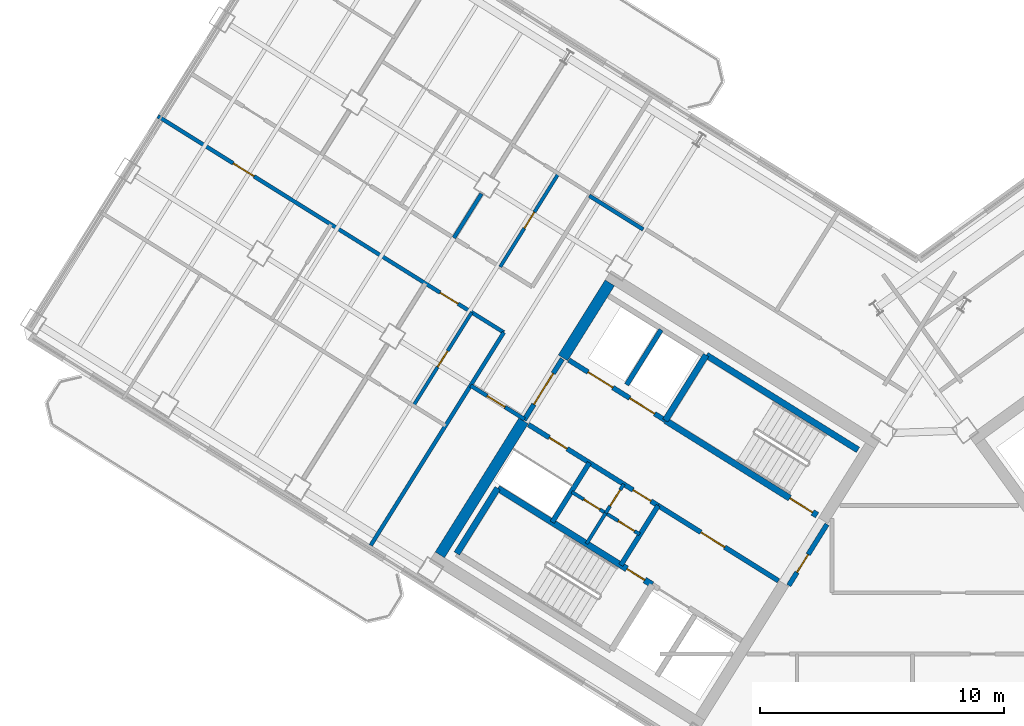
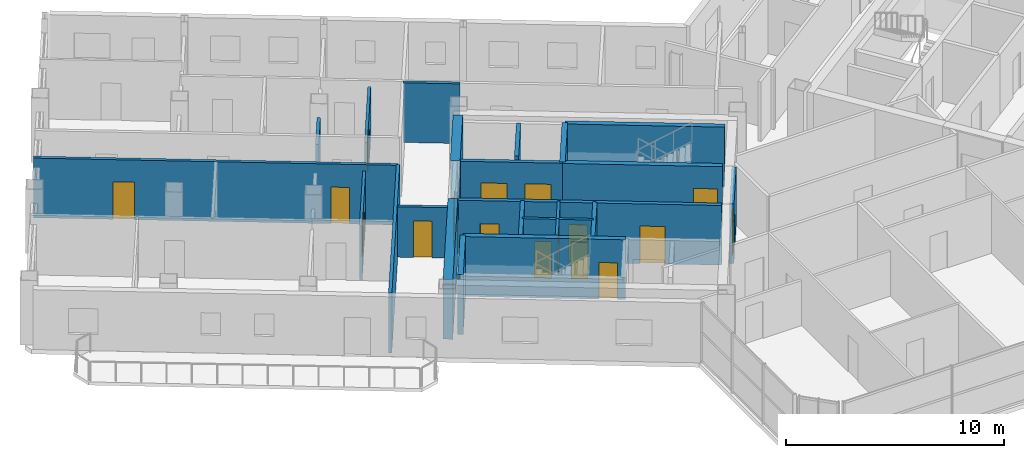
# One storey, part 12 of 21: 25 walls, 17 doors, 17 openings.
"""IFC4 building model written with IfcOpenShell, lengths in metres."""

from ifc_helpers import new_model, si_unit, direction, frame, frame_2d, origin, place, context, subcontext, project, spatial, rectangle, extrude, source, transform, mapped, material, layer, layer_set, type_object, element, fill, save


model = new_model("IFC4")

# Units and contexts
model_context = context("Model", 3, precision=1e-05, world=origin(), true_north=direction((0.0, 1.0)))
body_context = subcontext(model_context, "Body", "Model", "MODEL_VIEW")
ifc_project = project(units=[si_unit("LENGTHUNIT", "METRE"), si_unit("AREAUNIT", "SQUARE_METRE"), si_unit("VOLUMEUNIT", "CUBIC_METRE"), si_unit("PLANEANGLEUNIT", "RADIAN"), si_unit("MASSUNIT", "GRAM", prefix="KILO")], contexts=[model_context])

# Site, building, storey
site_placement = place(None, origin())
site = spatial("IfcSite", under=ifc_project, at=site_placement, CompositionType="ELEMENT")
building_placement = place(site_placement, origin())
building = spatial("IfcBuilding", under=site, at=building_placement, Name="Tlacorven Tower", CompositionType="ELEMENT")
storey_placement = place(building_placement, frame((0.0, 0.0, 222.0)))
storey = spatial("IfcBuildingStorey", under=building, at=storey_placement, Name="L56", CompositionType="ELEMENT", Elevation=222.0)

# Walls
ifc_material_1 = material(Name="Concrete C50/60", Category="concrete")
ifc_layer_1 = layer(ifc_material_1, 0.449951171875)
ifc_layer_set_1 = layer_set([ifc_layer_1], Name="Concrete C50/60")
wall_type_1 = type_object("IfcWallType", Name="WL-COR-450", PredefinedType="SHEAR", material=ifc_layer_set_1)
wall_1_placement = place(storey_placement, frame((29.543701171875, 30.636474609375, 0.0), z_axis=(0.0, 0.0, 1.0), x_axis=(-0.529902075036, -0.848058836916, 0.0)))
element("IfcWall", 1, at=wall_1_placement, inside=storey, type_object=wall_type_1, Name="L56 W core end wall E2.1", PredefinedType="SHEAR", context=body_context, shape_type="SweptSolid", body=[
    extrude(rectangle(XDim=3.625, YDim=0.449951171875, at=frame_2d((1.8125, 0.0))), origin(), (0.0, 0.0, 1.0), 3.35009765625),
])
wall_2_placement = place(storey_placement, frame((26.006591796875, 24.975830078125, 0.0), z_axis=(0.0, 0.0, 1.0), x_axis=(-0.529931155655, -0.848040665456, 0.0)))
element("IfcWall", 2, at=wall_2_placement, inside=storey, type_object=wall_type_1, Name="L56 W core end wall E2.2", PredefinedType="SHEAR", context=body_context, shape_type="SweptSolid", body=[
    extrude(rectangle(XDim=6.47509765625, YDim=0.449951171875, at=frame_2d((3.237548828125, 0.0))), origin(), (0.0, 0.0, 1.0), 3.35009765625),
])
ifc_material_2 = material(Name="Gypsum plasterboard acoustic partition", Category="gypsum")
ifc_layer_2 = layer(ifc_material_2, 0.159912109375)
ifc_layer_set_2 = layer_set([ifc_layer_2], Name="Gypsum plasterboard acoustic partition")
wall_type_2 = type_object("IfcWallType", Name="WL-DEM-160", PredefinedType="PARTITIONING", material=ifc_layer_set_2)
wall_3_placement = place(storey_placement, frame((30.91357421875, 32.82861328125, 0.0), z_axis=(0.0, 0.0, 1.0), x_axis=(-0.848008813643, 0.529982124211, 0.0)))
element("IfcWall", 3, at=wall_3_placement, inside=storey, type_object=wall_type_2, Name="L56 partition 38", PredefinedType="PARTITIONING", context=body_context, shape_type="SweptSolid", body=[
    extrude(rectangle(XDim=2.610107421875, YDim=0.159912109375, at=frame_2d((1.30517578125, 0.0))), origin(), (0.0, 0.0, 1.0), 3.340087890625),
])

# Wall, opening, door
wall_4_placement = place(storey_placement, frame((26.048828125, 25.043701171875, 0.0), z_axis=(0.0, 0.0, 1.0), x_axis=(-0.848050851465, 0.529914854792, 0.0)))
wall_4 = element("IfcWall", 4, at=wall_4_placement, inside=storey, type_object=wall_type_2, Name="L56 partition 39", PredefinedType="PARTITIONING", context=body_context, shape_type="SweptSolid", body=[
    extrude(rectangle(XDim=2.60986328125, YDim=0.159912109375, at=frame_2d((1.304931640625, 0.0))), origin(), (0.0, 0.0, 1.0), 2.824951171875),
])
opening_1_placement = place(wall_4_placement, frame((0.949951171875, 0.0, 0.0)))
opening_1 = element("IfcOpeningElement", 5, at=opening_1_placement, cuts=wall_4, Name="Opening D19", PredefinedType="OPENING", context=body_context, shape_type="SweptSolid", body=[
    extrude(rectangle(XDim=0.860107421875, YDim=2.050048828125, at=frame_2d((0.43017578125, 1.02490234375))), frame((0.0, 0.08984375, 0.0), z_axis=(0.0, -1.0, 0.0), x_axis=(1.0, 0.0, 0.0)), (0.0, 0.0, 1.0), 0.179931640625),
])
ifc_material_3 = material(Name="Fire-rated steel door assembly", Category="steel")
door_type_1 = type_object("IfcDoorType", Name="DR-RSR-FD60-0860", OperationType="NOTDEFINED", PredefinedType="DOOR", material=ifc_material_3)
shared_shape_1 = source(origin(), body_context, "Body", "SweptSolid", [
    extrude(rectangle(XDim=0.860107421875, YDim=2.050048828125, at=frame_2d((0.43017578125, 1.02490234375))), frame((0.0, 0.02490234375, 0.0), z_axis=(0.0, -1.0, 0.0), x_axis=(1.0, 0.0, 0.0)), (0.0, 0.0, 1.0), 0.050048828125),
])
door_1_placement = place(opening_1_placement, origin())
door_1 = element("IfcDoor", 6, at=door_1_placement, inside=storey, type_object=door_type_1, Name="L56 door 021", OperationType="SINGLE_SWING_LEFT", OverallHeight=2.050048828125, OverallWidth=0.860107421875, PredefinedType="DOOR", context=body_context, shape_type="MappedRepresentation", body=[
    mapped(shared_shape_1, transform((0.0, 0.0, 0.0), scale=1.0)),
])
fill(opening_1, door_1)

# Wall
wall_5_placement = place(storey_placement, frame((25.197509765625, 28.606201171875, 0.0), z_axis=(0.0, 0.0, 1.0), x_axis=(-0.529926497642, -0.848043576178, 0.0)))
element("IfcWall", 7, at=wall_5_placement, inside=storey, type_object=wall_type_2, Name="L56 partition 41", PredefinedType="PARTITIONING", context=body_context, shape_type="SweptSolid", body=[
    extrude(rectangle(XDim=10.300048828125, YDim=0.159912109375, at=frame_2d((5.14990234375, 0.0))), origin(), (0.0, 0.0, 1.0), 3.340087890625),
])

# Wall, openings, doors
wall_6_placement = place(storey_placement, frame((25.197509765625, 28.606201171875, 0.0), z_axis=(0.0, 0.0, 1.0), x_axis=(-0.848052408131, 0.529912363569, 0.0)))
wall_6 = element("IfcWall", 8, at=wall_6_placement, inside=storey, type_object=wall_type_2, Name="L56 Wing W Corridor North Wall", PredefinedType="PARTITIONING", context=body_context, shape_type="SweptSolid", body=[
    extrude(rectangle(XDim=16.72998046875, YDim=0.159912109375, at=frame_2d((8.364990234375, 0.0))), origin(), (0.0, 0.0, 1.0), 3.340087890625),
])
opening_2_placement = place(wall_6_placement, frame((2.219970703125, 0.0, 0.0)))
opening_2 = element("IfcOpeningElement", 9, at=opening_2_placement, cuts=wall_6, Name="Opening D19", PredefinedType="OPENING", context=body_context, shape_type="SweptSolid", body=[
    extrude(rectangle(XDim=0.860107421875, YDim=2.050048828125, at=frame_2d((0.43017578125, 1.02490234375))), frame((0.0, 0.08984375, 0.0), z_axis=(0.0, -1.0, 0.0), x_axis=(1.0, 0.0, 0.0)), (0.0, 0.0, 1.0), 0.179931640625),
])
opening_3_placement = place(wall_6_placement, frame((12.083984375, 0.0, 0.0)))
opening_3 = element("IfcOpeningElement", 10, at=opening_3_placement, cuts=wall_6, Name="Opening D11", PredefinedType="OPENING", context=body_context, shape_type="SweptSolid", body=[
    extrude(rectangle(XDim=1.0, YDim=2.10009765625, at=frame_2d((0.5, 1.050048828125))), frame((0.0, 0.08984375, 0.0), z_axis=(0.0, -1.0, 0.0), x_axis=(1.0, 0.0, 0.0)), (0.0, 0.0, 1.0), 0.179931640625),
])
door_2_placement = place(opening_2_placement, origin())
door_2 = element("IfcDoor", 11, at=door_2_placement, inside=storey, type_object=door_type_1, Name="L56 door 023", OperationType="SINGLE_SWING_RIGHT", OverallHeight=2.050048828125, OverallWidth=0.860107421875, PredefinedType="DOOR", context=body_context, shape_type="MappedRepresentation", body=[
    mapped(shared_shape_1, transform((0.0, 0.0, 0.0), scale=1.0)),
])
fill(opening_2, door_2)
door_type_2 = type_object("IfcDoorType", Name="DR-FLT-FD60-1000", OperationType="NOTDEFINED", PredefinedType="DOOR", material=ifc_material_3)
shared_shape_2 = source(origin(), body_context, "Body", "SweptSolid", [
    extrude(rectangle(XDim=1.0, YDim=2.10009765625, at=frame_2d((0.5, 1.050048828125))), frame((0.0, 0.02490234375, 0.0), z_axis=(0.0, -1.0, 0.0), x_axis=(1.0, 0.0, 0.0)), (0.0, 0.0, 1.0), 0.050048828125),
])
door_3_placement = place(opening_3_placement, origin())
door_3 = element("IfcDoor", 12, at=door_3_placement, inside=storey, type_object=door_type_2, Name="L56 door 027", OperationType="SINGLE_SWING_RIGHT", OverallHeight=2.10009765625, OverallWidth=1.0, PredefinedType="DOOR", context=body_context, shape_type="MappedRepresentation", body=[
    mapped(shared_shape_2, transform((0.0, 0.0, 0.0), scale=1.0)),
])
fill(opening_3, door_3)

# Wall
wall_7_placement = place(storey_placement, frame((24.2822265625, 34.29345703125, 0.0), z_axis=(0.0, 0.0, 1.0), x_axis=(-0.529927092104, -0.84804320471, 0.0)))
element("IfcWall", 13, at=wall_7_placement, inside=storey, type_object=wall_type_2, Name="L56 WS Demising Wall 1", PredefinedType="PARTITIONING", context=body_context, shape_type="SweptSolid", body=[
    extrude(rectangle(XDim=2.13818359375, YDim=0.159912109375, at=frame_2d((1.069091796875, 0.0))), origin(), (0.0, 0.0, 1.0), 2.824951171875),
])

# Wall, opening, door
ifc_material_4 = material(Name="Moisture-resistant gypsum plumbing wall", Category="gypsum")
ifc_layer_3 = layer(ifc_material_4, 0.139892578125)
ifc_layer_set_3 = layer_set([ifc_layer_3], Name="Moisture-resistant gypsum plumbing wall")
wall_type_3 = type_object("IfcWallType", Name="WL-PLM-140", PredefinedType="PLUMBINGWALL", material=ifc_layer_set_3)
wall_8_placement = place(storey_placement, frame((30.117431640625, 22.383544921875, 0.0), z_axis=(0.0, 0.0, 1.0), x_axis=(-0.529951914384, -0.848027693204, 0.0)))
wall_8 = element("IfcWall", 14, at=wall_8_placement, inside=storey, type_object=wall_type_3, Name="L56 partition 18", PredefinedType="PLUMBINGWALL", context=body_context, shape_type="SweptSolid", body=[
    extrude(rectangle(XDim=1.39990234375, YDim=0.139892578125, at=frame_2d((0.699951171875, 0.0))), origin(), (0.0, 0.0, 1.0), 3.340087890625),
])
opening_4_placement = place(wall_8_placement, frame((0.280029296875, 0.0, 0.0)))
opening_4 = element("IfcOpeningElement", 15, at=opening_4_placement, cuts=wall_8, Name="Opening D22", PredefinedType="OPENING", context=body_context, shape_type="SweptSolid", body=[
    extrude(rectangle(XDim=0.780029296875, YDim=2.050048828125, at=frame_2d((0.39013671875, 1.02490234375))), frame((0.0, 0.080078125, 0.0), z_axis=(0.0, -1.0, 0.0), x_axis=(1.0, 0.0, 0.0)), (0.0, 0.0, 1.0), 0.159912109375),
])
ifc_material_5 = material(Name="Powder-coated aluminium and timber door", Category="wood")
door_type_3 = type_object("IfcDoorType", Name="DR-INT-WET-0780", OperationType="NOTDEFINED", PredefinedType="DOOR", material=ifc_material_5)
shared_shape_3 = source(origin(), body_context, "Body", "SweptSolid", [
    extrude(rectangle(XDim=0.780029296875, YDim=2.050048828125, at=frame_2d((0.39013671875, 1.02490234375))), frame((0.0, 0.02490234375, 0.0), z_axis=(0.0, -1.0, 0.0), x_axis=(1.0, 0.0, 0.0)), (0.0, 0.0, 1.0), 0.050048828125),
])
door_4_placement = place(opening_4_placement, origin())
door_4 = element("IfcDoor", 16, at=door_4_placement, inside=storey, type_object=door_type_3, Name="L56 door 010", OperationType="SINGLE_SWING_LEFT", OverallHeight=2.050048828125, OverallWidth=0.780029296875, PredefinedType="DOOR", context=body_context, shape_type="MappedRepresentation", body=[
    mapped(shared_shape_3, transform((0.0, 0.0, 0.0), scale=1.0)),
])
fill(opening_4, door_4)

# Wall
wall_9_placement = place(storey_placement, frame((29.37548828125, 21.1962890625, 0.0), z_axis=(0.0, 0.0, 1.0), x_axis=(-0.529865479138, -0.848081702443, 0.0)))
element("IfcWall", 17, at=wall_9_placement, inside=storey, type_object=wall_type_3, Name="L56 partition 19", PredefinedType="PLUMBINGWALL", context=body_context, shape_type="SweptSolid", body=[
    extrude(rectangle(XDim=1.47998046875, YDim=0.139892578125, at=frame_2d((0.739990234375, 0.0))), origin(), (0.0, 0.0, 1.0), 3.340087890625),
])

# Wall, openings, doors
wall_10_placement = place(storey_placement, frame((30.766357421875, 20.3271484375, 0.0), z_axis=(0.0, 0.0, 1.0), x_axis=(-0.848052663127, 0.529911955482, 0.0)))
wall_10 = element("IfcWall", 18, at=wall_10_placement, inside=storey, type_object=wall_type_3, Name="L56 partition 20", PredefinedType="PLUMBINGWALL", context=body_context, shape_type="SweptSolid", body=[
    extrude(rectangle(XDim=3.27978515625, YDim=0.139892578125, at=frame_2d((1.639892578125, 0.0))), origin(), (0.0, 0.0, 1.0), 3.340087890625),
])
opening_5_placement = place(wall_10_placement, frame((0.25, 0.0, 0.0)))
opening_5 = element("IfcOpeningElement", 19, at=opening_5_placement, cuts=wall_10, Name="Opening D22", PredefinedType="OPENING", context=body_context, shape_type="SweptSolid", body=[
    extrude(rectangle(XDim=0.780029296875, YDim=2.050048828125, at=frame_2d((0.39013671875, 1.02490234375))), frame((0.0, 0.080078125, 0.0), z_axis=(0.0, -1.0, 0.0), x_axis=(1.0, 0.0, 0.0)), (0.0, 0.0, 1.0), 0.159912109375),
])
opening_6_placement = place(wall_10_placement, frame((1.919921875, 0.0, 0.0)))
opening_6 = element("IfcOpeningElement", 20, at=opening_6_placement, cuts=wall_10, Name="Opening D22", PredefinedType="OPENING", context=body_context, shape_type="SweptSolid", body=[
    extrude(rectangle(XDim=0.780029296875, YDim=2.050048828125, at=frame_2d((0.39013671875, 1.02490234375))), frame((0.0, 0.080078125, 0.0), z_axis=(0.0, -1.0, 0.0), x_axis=(1.0, 0.0, 0.0)), (0.0, 0.0, 1.0), 0.159912109375),
])
door_5_placement = place(opening_5_placement, origin())
door_5 = element("IfcDoor", 21, at=door_5_placement, inside=storey, type_object=door_type_3, Name="L56 door 011", OperationType="SINGLE_SWING_RIGHT", OverallHeight=2.050048828125, OverallWidth=0.780029296875, PredefinedType="DOOR", context=body_context, shape_type="MappedRepresentation", body=[
    mapped(shared_shape_3, transform((0.0, 0.0, 0.0), scale=1.0)),
])
fill(opening_5, door_5)
door_6_placement = place(opening_6_placement, origin())
door_6 = element("IfcDoor", 22, at=door_6_placement, inside=storey, type_object=door_type_3, Name="L56 door 012", OperationType="SINGLE_SWING_LEFT", OverallHeight=2.050048828125, OverallWidth=0.780029296875, PredefinedType="DOOR", context=body_context, shape_type="MappedRepresentation", body=[
    mapped(shared_shape_3, transform((0.0, 0.0, 0.0), scale=1.0)),
])
fill(opening_6, door_6)

# Wall, opening, door
wall_11_placement = place(storey_placement, frame((23.883056640625, 29.427490234375, 0.0), z_axis=(0.0, 0.0, 1.0), x_axis=(-0.529950281337, -0.84802871373, 0.0)))
wall_11 = element("IfcWall", 23, at=wall_11_placement, inside=storey, type_object=wall_type_3, Name="L56 partition 47", PredefinedType="PLUMBINGWALL", context=body_context, shape_type="SweptSolid", body=[
    extrude(rectangle(XDim=4.510009765625, YDim=0.139892578125, at=frame_2d((2.2548828125, 0.0))), origin(), (0.0, 0.0, 1.0), 2.9951171875),
])
opening_7_placement = place(wall_11_placement, frame((1.864990234375, 0.0, 0.0)))
opening_7 = element("IfcOpeningElement", 24, at=opening_7_placement, cuts=wall_11, Name="Opening D22", PredefinedType="OPENING", context=body_context, shape_type="SweptSolid", body=[
    extrude(rectangle(XDim=0.780029296875, YDim=2.050048828125, at=frame_2d((0.39013671875, 1.02490234375))), frame((0.0, 0.080078125, 0.0), z_axis=(0.0, -1.0, 0.0), x_axis=(1.0, 0.0, 0.0)), (0.0, 0.0, 1.0), 0.159912109375),
])
door_7_placement = place(opening_7_placement, origin())
door_7 = element("IfcDoor", 25, at=door_7_placement, inside=storey, type_object=door_type_3, Name="L56 door 025", OperationType="SINGLE_SWING_RIGHT", OverallHeight=2.050048828125, OverallWidth=0.780029296875, PredefinedType="DOOR", context=body_context, shape_type="MappedRepresentation", body=[
    mapped(shared_shape_3, transform((0.0, 0.0, 0.0), scale=1.0)),
])
fill(opening_7, door_7)

wall_12_placement = place(storey_placement, frame((27.438720703125, 35.117919921875, 0.0), z_axis=(0.0, 0.0, 1.0), x_axis=(-0.529911350634, -0.84805304107, 0.0)))
wall_12 = element("IfcWall", 26, at=wall_12_placement, inside=storey, type_object=wall_type_3, Name="L56 partition 53", PredefinedType="PLUMBINGWALL", context=body_context, shape_type="SweptSolid", body=[
    extrude(rectangle(XDim=4.510009765625, YDim=0.139892578125, at=frame_2d((2.2548828125, 0.0))), origin(), (0.0, 0.0, 1.0), 2.9951171875),
])
opening_8_placement = place(wall_12_placement, frame((1.864990234375, 0.0, 0.0)))
opening_8 = element("IfcOpeningElement", 27, at=opening_8_placement, cuts=wall_12, Name="Opening D22", PredefinedType="OPENING", context=body_context, shape_type="SweptSolid", body=[
    extrude(rectangle(XDim=0.780029296875, YDim=2.050048828125, at=frame_2d((0.39013671875, 1.02490234375))), frame((0.0, 0.080078125, 0.0), z_axis=(0.0, -1.0, 0.0), x_axis=(1.0, 0.0, 0.0)), (0.0, 0.0, 1.0), 0.159912109375),
])
door_8_placement = place(opening_8_placement, origin())
door_8 = element("IfcDoor", 28, at=door_8_placement, inside=storey, type_object=door_type_3, Name="L56 door 032", OperationType="SINGLE_SWING_LEFT", OverallHeight=2.050048828125, OverallWidth=0.780029296875, PredefinedType="DOOR", context=body_context, shape_type="MappedRepresentation", body=[
    mapped(shared_shape_3, transform((0.0, 0.0, 0.0), scale=1.0)),
])
fill(opening_8, door_8)

ifc_material_6 = material(Name="Concrete C40/50", Category="concrete")
ifc_layer_4 = layer(ifc_material_6, 0.199951171875)
ifc_layer_set_4 = layer_set([ifc_layer_4], Name="Concrete C40/50")
wall_type_4 = type_object("IfcWallType", Name="WL-SHF-200", PredefinedType="STANDARD", material=ifc_layer_set_4)
wall_13_placement = place(storey_placement, frame((36.459228515625, 18.420654296875, 0.0), z_axis=(0.0, 0.0, 1.0), x_axis=(-0.848059591691, 0.529900867089, 0.0)))
wall_13 = element("IfcWall", 29, at=wall_13_placement, inside=storey, type_object=wall_type_4, Name="L56 Core W Smoke Lobby Wall", PredefinedType="STANDARD", context=body_context, shape_type="SweptSolid", body=[
    extrude(rectangle(XDim=5.818115234375, YDim=0.199951171875, at=frame_2d((2.9091796875, 0.0))), origin(), (0.0, 0.0, 1.0), 3.340087890625),
])
opening_9_placement = place(wall_13_placement, frame((2.597900390625, 0.0, 0.0)))
opening_9 = element("IfcOpeningElement", 30, at=opening_9_placement, cuts=wall_13, Name="Opening D09", PredefinedType="OPENING", context=body_context, shape_type="SweptSolid", body=[
    extrude(rectangle(XDim=1.14990234375, YDim=2.10009765625, at=frame_2d((0.574951171875, 1.050048828125))), frame((0.0, 0.10986328125, 0.0), z_axis=(0.0, -1.0, 0.0), x_axis=(1.0, 0.0, 0.0)), (0.0, 0.0, 1.0), 0.219970703125),
])
door_type_4 = type_object("IfcDoorType", Name="DR-FFL-FD60-1150", OperationType="NOTDEFINED", PredefinedType="DOOR", material=ifc_material_3)
shared_shape_4 = source(origin(), body_context, "Body", "SweptSolid", [
    extrude(rectangle(XDim=1.14990234375, YDim=2.10009765625, at=frame_2d((0.574951171875, 1.050048828125))), frame((0.0, 0.02490234375, 0.0), z_axis=(0.0, -1.0, 0.0), x_axis=(1.0, 0.0, 0.0)), (0.0, 0.0, 1.0), 0.050048828125),
])
door_9_placement = place(opening_9_placement, origin())
door_9 = element("IfcDoor", 31, at=door_9_placement, inside=storey, type_object=door_type_4, Name="L56 Firefighting Lobby W Fire Door", OperationType="SINGLE_SWING_RIGHT", OverallHeight=2.10009765625, OverallWidth=1.14990234375, PredefinedType="DOOR", context=body_context, shape_type="MappedRepresentation", body=[
    mapped(shared_shape_4, transform((0.0, 0.0, 0.0), scale=1.0)),
])
fill(opening_9, door_9)

# Wall, openings, doors
wall_14_placement = place(storey_placement, frame((31.82177734375, 24.99755859375, 0.0), z_axis=(0.0, 0.0, 1.0), x_axis=(-0.848054125777, 0.529909614701, 0.0)))
wall_14 = element("IfcWall", 32, at=wall_14_placement, inside=storey, type_object=wall_type_4, Name="L56 Core W South Lift Shaft Wall", PredefinedType="STANDARD", context=body_context, shape_type="SweptSolid", body=[
    extrude(rectangle(XDim=4.66796875, YDim=0.199951171875, at=frame_2d((2.333984375, 0.0))), origin(), (0.0, 0.0, 1.0), 3.340087890625),
])
opening_10_placement = place(wall_14_placement, frame((0.52001953125, 0.0, 0.0)))
opening_10 = element("IfcOpeningElement", 33, at=opening_10_placement, cuts=wall_14, Name="Opening LD02", PredefinedType="OPENING", context=body_context, shape_type="SweptSolid", body=[
    extrude(rectangle(XDim=1.199951171875, YDim=2.14990234375, at=frame_2d((0.60009765625, 1.074951171875))), frame((0.0, 0.10986328125, 0.0), z_axis=(0.0, -1.0, 0.0), x_axis=(1.0, 0.0, 0.0)), (0.0, 0.0, 1.0), 0.219970703125),
])
opening_11_placement = place(wall_14_placement, frame((2.5400390625, 0.0, 0.0)))
opening_11 = element("IfcOpeningElement", 34, at=opening_11_placement, cuts=wall_14, Name="Opening LD02", PredefinedType="OPENING", context=body_context, shape_type="SweptSolid", body=[
    extrude(rectangle(XDim=1.199951171875, YDim=2.14990234375, at=frame_2d((0.60009765625, 1.074951171875))), frame((0.0, 0.10986328125, 0.0), z_axis=(0.0, -1.0, 0.0), x_axis=(1.0, 0.0, 0.0)), (0.0, 0.0, 1.0), 0.219970703125),
])
door_type_5 = type_object("IfcDoorType", Name="DR-LFT-SLID-1200", OperationType="DOUBLE_DOOR_SLIDING", PredefinedType="DOOR", material=ifc_material_3)
shared_shape_5 = source(origin(), body_context, "Body", "SweptSolid", [
    extrude(rectangle(XDim=1.199951171875, YDim=2.14990234375, at=frame_2d((0.60009765625, 1.074951171875))), frame((0.0, 0.02490234375, 0.0), z_axis=(0.0, -1.0, 0.0), x_axis=(1.0, 0.0, 0.0)), (0.0, 0.0, 1.0), 0.050048828125),
])
door_10_placement = place(opening_10_placement, origin())
door_10 = element("IfcDoor", 35, at=door_10_placement, inside=storey, type_object=door_type_5, Name="L56 Lift PL-H1 Sliding Landing Door", OperationType="DOUBLE_DOOR_SLIDING", OverallHeight=2.14990234375, OverallWidth=1.199951171875, PredefinedType="DOOR", context=body_context, shape_type="MappedRepresentation", body=[
    mapped(shared_shape_5, transform((0.0, 0.0, 0.0), scale=1.0)),
])
fill(opening_10, door_10)
door_11_placement = place(opening_11_placement, origin())
door_11 = element("IfcDoor", 36, at=door_11_placement, inside=storey, type_object=door_type_5, Name="L56 Lift PL-H2 Sliding Landing Door", OperationType="DOUBLE_DOOR_SLIDING", OverallHeight=2.14990234375, OverallWidth=1.199951171875, PredefinedType="DOOR", context=body_context, shape_type="MappedRepresentation", body=[
    mapped(shared_shape_5, transform((0.0, 0.0, 0.0), scale=1.0)),
])
fill(opening_11, door_11)

# Walls
wall_15_placement = place(storey_placement, frame((31.645263671875, 28.716064453125, 0.0), z_axis=(0.0, 0.0, 1.0), x_axis=(-0.52986693015, -0.848080795876, 0.0)))
element("IfcWall", 37, at=wall_15_placement, inside=storey, type_object=wall_type_4, Name="L56 partition 12", PredefinedType="STANDARD", context=body_context, shape_type="SweptSolid", body=[
    extrude(rectangle(XDim=2.659912109375, YDim=0.199951171875, at=frame_2d((1.330078125, 0.0))), origin(), (0.0, 0.0, 1.0), 3.340087890625),
])
for number, where, z_axis, x_axis, name in (
    (38, (31.525146484375, 21.503662109375, 0.0), (0.0, 0.0, 1.0), (-0.529907497854, -0.848055448493, 0.0), "L56 partition 15"),
    (39, (28.709716796875, 23.26318359375, 0.0), (0.0, 0.0, 1.0), (-0.529907497854, -0.848055448493, 0.0), "L56 partition 16"),
):
    element("IfcWall", number, at=place(storey_placement, frame(where, z_axis=z_axis, x_axis=x_axis)), inside=storey, type_object=wall_type_4, Name=name, PredefinedType="STANDARD", context=body_context, shape_type="SweptSolid", body=[
        extrude(rectangle(XDim=2.8798828125, YDim=0.199951171875, at=frame_2d((1.43994140625, 0.0))), origin(), (0.0, 0.0, 1.0), 3.340087890625),
    ])

# Wall, openings, doors
wall_16_placement = place(storey_placement, frame((31.525146484375, 21.503662109375, 0.0), z_axis=(0.0, 0.0, 1.0), x_axis=(-0.848042066329, 0.529928913853, 0.0)))
wall_16 = element("IfcWall", 40, at=wall_16_placement, inside=storey, type_object=wall_type_4, Name="L56 Core W North Service Wall", PredefinedType="STANDARD", context=body_context, shape_type="SweptSolid", body=[
    extrude(rectangle(XDim=6.267822265625, YDim=0.199951171875, at=frame_2d((3.1337890625, 0.0))), origin(), (0.0, 0.0, 1.0), 3.340087890625),
])
opening_12_placement = place(wall_16_placement, frame((4.39990234375, 0.0, 0.0)))
opening_12 = element("IfcOpeningElement", 41, at=opening_12_placement, cuts=wall_16, Name="Opening D19", PredefinedType="OPENING", context=body_context, shape_type="SweptSolid", body=[
    extrude(rectangle(XDim=0.860107421875, YDim=2.050048828125, at=frame_2d((0.43017578125, 1.02490234375))), frame((0.0, 0.10986328125, 0.0), z_axis=(0.0, -1.0, 0.0), x_axis=(1.0, 0.0, 0.0)), (0.0, 0.0, 1.0), 0.219970703125),
])
opening_13_placement = place(wall_16_placement, frame((0.35009765625, 0.0, 0.0)))
opening_13 = element("IfcOpeningElement", 42, at=opening_13_placement, cuts=wall_16, Name="Opening D19", PredefinedType="OPENING", context=body_context, shape_type="SweptSolid", body=[
    extrude(rectangle(XDim=0.860107421875, YDim=2.050048828125, at=frame_2d((0.43017578125, 1.02490234375))), frame((0.0, 0.10986328125, 0.0), z_axis=(0.0, -1.0, 0.0), x_axis=(1.0, 0.0, 0.0)), (0.0, 0.0, 1.0), 0.219970703125),
])
door_12_placement = place(opening_12_placement, frame((0.860107421875, 0.0, 0.0), z_axis=(0.0, 0.0, 1.0), x_axis=(-1.0, 0.0, 0.0)))
door_12 = element("IfcDoor", 43, at=door_12_placement, inside=storey, type_object=door_type_1, Name="L56 Electrical Riser Access Door W", OperationType="SINGLE_SWING_LEFT", OverallHeight=2.050048828125, OverallWidth=0.860107421875, PredefinedType="DOOR", context=body_context, shape_type="MappedRepresentation", body=[
    mapped(shared_shape_1, transform((0.0, 0.0, 0.0), scale=1.0)),
])
fill(opening_12, door_12)
door_13_placement = place(opening_13_placement, frame((0.860107421875, 0.0, 0.0), z_axis=(0.0, 0.0, 1.0), x_axis=(-1.0, 0.0, 0.0)))
door_13 = element("IfcDoor", 44, at=door_13_placement, inside=storey, type_object=door_type_1, Name="L56 Cleaning Room Access Door W", OperationType="SINGLE_SWING_RIGHT", OverallHeight=2.050048828125, OverallWidth=0.860107421875, PredefinedType="DOOR", context=body_context, shape_type="MappedRepresentation", body=[
    mapped(shared_shape_1, transform((0.0, 0.0, 0.0), scale=1.0)),
])
fill(opening_13, door_13)

# Wall, opening, door
wall_17_placement = place(storey_placement, frame((27.59619140625, 27.52001953125, 0.0), z_axis=(0.0, 0.0, 1.0), x_axis=(-0.529865479138, -0.848081702443, 0.0)))
wall_17 = element("IfcWall", 45, at=wall_17_placement, inside=storey, type_object=wall_type_4, Name="L56 partition 37", PredefinedType="STANDARD", context=body_context, shape_type="SweptSolid", body=[
    extrude(rectangle(XDim=2.9599609375, YDim=0.199951171875, at=frame_2d((1.47998046875, 0.0))), origin(), (0.0, 0.0, 1.0), 3.340087890625),
])
opening_14_placement = place(wall_17_placement, frame((0.699951171875, 0.0, 0.0)))
opening_14 = element("IfcOpeningElement", 46, at=opening_14_placement, cuts=wall_17, Name="Opening D10", PredefinedType="OPENING", context=body_context, shape_type="SweptSolid", body=[
    extrude(rectangle(XDim=1.5, YDim=2.14990234375, at=frame_2d((0.75, 1.074951171875))), frame((0.0, 0.10986328125, 0.0), z_axis=(0.0, -1.0, 0.0), x_axis=(1.0, 0.0, 0.0)), (0.0, 0.0, 1.0), 0.219970703125),
])
door_type_6 = type_object("IfcDoorType", Name="DR-LOB-FD60-1500", OperationType="DOUBLE_DOOR_SINGLE_SWING", PredefinedType="DOOR", material=ifc_material_3)
shared_shape_6 = source(origin(), body_context, "Body", "SweptSolid", [
    extrude(rectangle(XDim=1.5, YDim=2.14990234375, at=frame_2d((0.75, 1.074951171875))), frame((0.0, 0.02490234375, 0.0), z_axis=(0.0, -1.0, 0.0), x_axis=(1.0, 0.0, 0.0)), (0.0, 0.0, 1.0), 0.050048828125),
])
door_14_placement = place(opening_14_placement, origin())
door_14 = element("IfcDoor", 47, at=door_14_placement, inside=storey, type_object=door_type_6, Name="L56 door 022", OperationType="DOUBLE_DOOR_SINGLE_SWING", OverallHeight=2.14990234375, OverallWidth=1.5, PredefinedType="DOOR", context=body_context, shape_type="MappedRepresentation", body=[
    mapped(shared_shape_6, transform((0.0, 0.0, 0.0), scale=1.0)),
])
fill(opening_14, door_14)

wall_18_placement = place(storey_placement, frame((38.451416015625, 20.737060546875, 0.0), z_axis=(0.0, 0.0, 1.0), x_axis=(-0.529924799939, -0.848044637038, 0.0)))
wall_18 = element("IfcWall", 48, at=wall_18_placement, inside=storey, type_object=wall_type_4, Name="L56 partition 61", PredefinedType="STANDARD", context=body_context, shape_type="SweptSolid", body=[
    extrude(rectangle(XDim=2.9599609375, YDim=0.199951171875, at=frame_2d((1.47998046875, 0.0))), origin(), (0.0, 0.0, 1.0), 3.340087890625),
])
opening_15_placement = place(wall_18_placement, frame((1.4599609375, 0.0, 0.0)))
opening_15 = element("IfcOpeningElement", 49, at=opening_15_placement, cuts=wall_18, Name="Opening D19", PredefinedType="OPENING", context=body_context, shape_type="SweptSolid", body=[
    extrude(rectangle(XDim=0.860107421875, YDim=2.050048828125, at=frame_2d((0.43017578125, 1.02490234375))), frame((0.0, 0.10986328125, 0.0), z_axis=(0.0, -1.0, 0.0), x_axis=(1.0, 0.0, 0.0)), (0.0, 0.0, 1.0), 0.219970703125),
])
door_15_placement = place(opening_15_placement, frame((0.860107421875, 0.0, 0.0), z_axis=(0.0, 0.0, 1.0), x_axis=(-1.0, 0.0, 0.0)))
door_15 = element("IfcDoor", 50, at=door_15_placement, inside=storey, type_object=door_type_1, Name="L56 door 041", OperationType="SINGLE_SWING_LEFT", OverallHeight=2.050048828125, OverallWidth=0.860107421875, PredefinedType="DOOR", context=body_context, shape_type="MappedRepresentation", body=[
    mapped(shared_shape_1, transform((0.0, 0.0, 0.0), scale=1.0)),
])
fill(opening_15, door_15)

ifc_layer_5 = layer(ifc_material_1, 0.260009765625)
ifc_layer_set_5 = layer_set([ifc_layer_5], Name="Concrete C50/60")
wall_type_5 = type_object("IfcWallType", Name="WL-STW-260", PredefinedType="SHEAR", material=ifc_layer_set_5)
wall_19_placement = place(storey_placement, frame((31.279541015625, 18.26123046875, 0.0), z_axis=(0.0, 0.0, 1.0), x_axis=(-0.848051618787, 0.529913626805, 0.0)))
wall_19 = element("IfcWall", 51, at=wall_19_placement, inside=storey, type_object=wall_type_5, Name="L56 Stair W1 Lobby Shear Wall", PredefinedType="SHEAR", context=body_context, shape_type="SweptSolid", body=[
    extrude(rectangle(XDim=7.4599609375, YDim=0.260009765625, at=frame_2d((3.72998046875, 0.0))), origin(), (0.0, 0.0, 1.0), 3.35009765625),
])
opening_16_placement = place(wall_19_placement, frame((0.360107421875, 0.0, 0.0)))
opening_16 = element("IfcOpeningElement", 52, at=opening_16_placement, cuts=wall_19, Name="Opening D19", PredefinedType="OPENING", context=body_context, shape_type="SweptSolid", body=[
    extrude(rectangle(XDim=0.860107421875, YDim=2.050048828125, at=frame_2d((0.43017578125, 1.02490234375))), frame((0.0, 0.14013671875, 0.0), z_axis=(0.0, -1.0, 0.0), x_axis=(1.0, 0.0, 0.0)), (0.0, 0.0, 1.0), 0.280029296875),
])
door_16_placement = place(opening_16_placement, frame((0.860107421875, 0.0, 0.0), z_axis=(0.0, 0.0, 1.0), x_axis=(-1.0, 0.0, 0.0)))
door_16 = element("IfcDoor", 53, at=door_16_placement, inside=storey, type_object=door_type_1, Name="L56 Exit Stair W1 Fire Door", OperationType="SINGLE_SWING_LEFT", OverallHeight=2.050048828125, OverallWidth=0.860107421875, PredefinedType="DOOR", context=body_context, shape_type="MappedRepresentation", body=[
    mapped(shared_shape_1, transform((0.0, 0.0, 0.0), scale=1.0)),
])
fill(opening_16, door_16)

# Walls
wall_20_placement = place(storey_placement, frame((24.944580078125, 22.2197265625, 0.0), z_axis=(0.0, 0.0, 1.0), x_axis=(-0.529908658664, -0.84805472316, 0.0)))
element("IfcWall", 54, at=wall_20_placement, inside=storey, type_object=wall_type_5, Name="L56 Stair W1 East Shear Wall", PredefinedType="SHEAR", context=body_context, shape_type="SweptSolid", body=[
    extrude(rectangle(XDim=3.16015625, YDim=0.260009765625, at=frame_2d((1.580078125, 0.0))), origin(), (0.0, 0.0, 1.0), 3.35009765625),
])
wall_21_placement = place(storey_placement, frame((39.720947265625, 23.787841796875, 0.0), z_axis=(0.0, 0.0, 1.0), x_axis=(-0.848054434086, 0.529909121291, 0.0)))
element("IfcWall", 55, at=wall_21_placement, inside=storey, type_object=wall_type_5, Name="L56 Stair W2 Far Shear Wall", PredefinedType="SHEAR", context=body_context, shape_type="SweptSolid", body=[
    extrude(rectangle(XDim=7.330078125, YDim=0.260009765625, at=frame_2d((3.6650390625, 0.0))), origin(), (0.0, 0.0, 1.0), 3.35009765625),
])

# Wall, opening, door
wall_22_placement = place(storey_placement, frame((38.04638671875, 21.10791015625, 0.0), z_axis=(0.0, 0.0, 1.0), x_axis=(-0.848054434086, 0.529909121291, 0.0)))
wall_22 = element("IfcWall", 56, at=wall_22_placement, inside=storey, type_object=wall_type_5, Name="L56 Stair W2 Lobby Shear Wall", PredefinedType="SHEAR", context=body_context, shape_type="SweptSolid", body=[
    extrude(rectangle(XDim=7.330078125, YDim=0.260009765625, at=frame_2d((3.6650390625, 0.0))), origin(), (0.0, 0.0, 1.0), 3.35009765625),
])
opening_17_placement = place(wall_22_placement, frame((0.219970703125, 0.0, 0.0)))
opening_17 = element("IfcOpeningElement", 57, at=opening_17_placement, cuts=wall_22, Name="Opening D07", PredefinedType="OPENING", context=body_context, shape_type="SweptSolid", body=[
    extrude(rectangle(XDim=1.10009765625, YDim=2.10009765625, at=frame_2d((0.550048828125, 1.050048828125))), frame((0.0, 0.14013671875, 0.0), z_axis=(0.0, -1.0, 0.0), x_axis=(1.0, 0.0, 0.0)), (0.0, 0.0, 1.0), 0.280029296875),
])
door_type_7 = type_object("IfcDoorType", Name="DR-STR-FD90-1100", OperationType="NOTDEFINED", PredefinedType="DOOR", material=ifc_material_3)
shared_shape_7 = source(origin(), body_context, "Body", "SweptSolid", [
    extrude(rectangle(XDim=1.10009765625, YDim=2.10009765625, at=frame_2d((0.550048828125, 1.050048828125))), frame((0.0, 0.02490234375, 0.0), z_axis=(0.0, -1.0, 0.0), x_axis=(1.0, 0.0, 0.0)), (0.0, 0.0, 1.0), 0.050048828125),
])
door_17_placement = place(opening_17_placement, origin())
door_17 = element("IfcDoor", 58, at=door_17_placement, inside=storey, type_object=door_type_7, Name="L56 Exit Stair W2 Fire Door", OperationType="SINGLE_SWING_LEFT", OverallHeight=2.10009765625, OverallWidth=1.10009765625, PredefinedType="DOOR", context=body_context, shape_type="MappedRepresentation", body=[
    mapped(shared_shape_7, transform((0.0, 0.0, 0.0), scale=1.0)),
])
fill(opening_17, door_17)

# Wall
wall_23_placement = place(storey_placement, frame((33.496337890625, 27.677490234375, 0.0), z_axis=(0.0, 0.0, 1.0), x_axis=(-0.529908658664, -0.84805472316, 0.0)))
element("IfcWall", 59, at=wall_23_placement, inside=storey, type_object=wall_type_5, Name="L56 Stair W2 East Shear Wall", PredefinedType="SHEAR", context=body_context, shape_type="SweptSolid", body=[
    extrude(rectangle(XDim=3.16015625, YDim=0.260009765625, at=frame_2d((1.580078125, 0.0))), origin(), (0.0, 0.0, 1.0), 3.35009765625),
])

save(model, "model.ifc")
